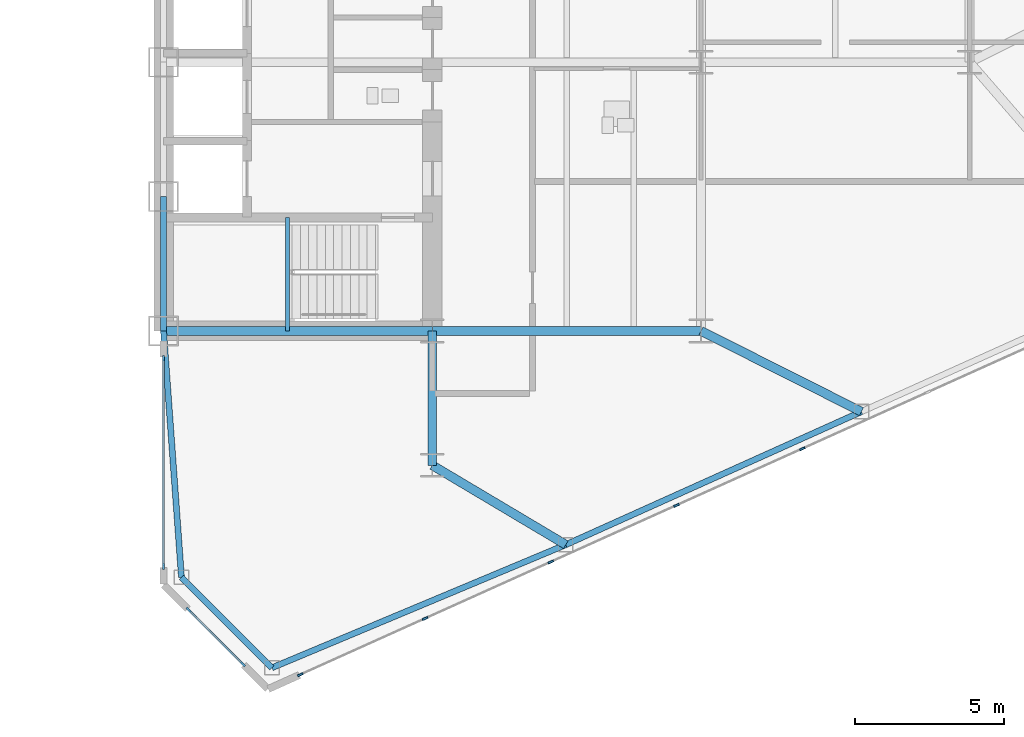
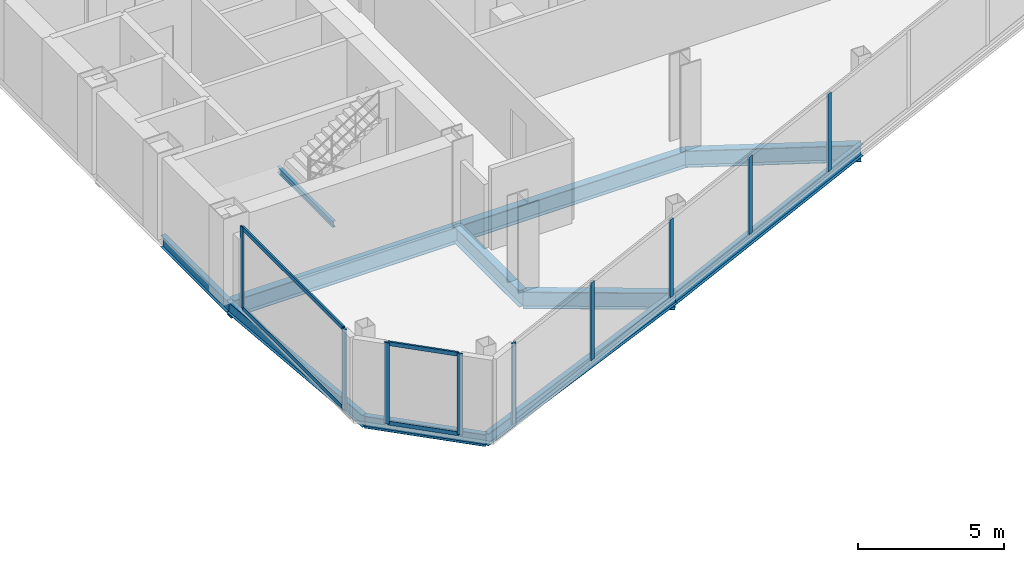
# One storey, part 10 of 27: 13 members, 11 beams, 3 elements without a shape of their own.
"""IFC4 building model written with IfcOpenShell, lengths in metres."""

from ifc_helpers import new_model, si_unit, direction, frame, origin, origin_2d, place, context, subcontext, project, spatial, rectangle, i_section, extrude, source, transform, mapped, material, layer, layer_set, material_profile, profile_set, type_object, type_shapes, element, aggregate, save


model = new_model("IFC4")

# Units and contexts
model_context = context("Model", 3, precision=1e-05, world=origin(), true_north=direction((0.0, 1.0)))
body_context = subcontext(model_context, "Body", "Model", "MODEL_VIEW")
ifc_project = project(units=[si_unit("LENGTHUNIT", "METRE"), si_unit("AREAUNIT", "SQUARE_METRE"), si_unit("VOLUMEUNIT", "CUBIC_METRE"), si_unit("PLANEANGLEUNIT", "RADIAN"), si_unit("MASSUNIT", "GRAM", prefix="KILO")], contexts=[model_context])

# Site, building, storey
site_placement = place(None, origin())
site = spatial("IfcSite", under=ifc_project, at=site_placement, CompositionType="ELEMENT")
building_placement = place(site_placement, origin())
building = spatial("IfcBuilding", under=site, at=building_placement, Name="Seokmaru Belvedere", CompositionType="ELEMENT")
storey_placement = place(building_placement, frame((0.0, 0.0, 76.5)))
storey = spatial("IfcBuildingStorey", under=building, at=storey_placement, Name="L20", CompositionType="ELEMENT", Elevation=76.5)

# Beams
ifc_material_1 = material(Name="Steel SM355 (355 MPa)", Category="steel")
ifc_material_profile_1 = material_profile(ifc_material_1, i_section(OverallWidth=0.199951171875, OverallDepth=0.5, WebThickness=0.010009765625, FlangeThickness=0.01611328125, at=origin_2d()), Name="H-500x200x10x16")
ifc_profile_set_1 = profile_set([ifc_material_profile_1], Name="Steel SM355 (355 MPa)")
beam_type_1 = type_object("IfcBeamType", Name="Perimeter Spandrel Beam H-500", PredefinedType="SPANDREL", material=ifc_profile_set_1)
shared_shape_1 = source(origin(), body_context, "Body", "SweptSolid", [
    extrude(i_section(OverallWidth=0.199951171875, OverallDepth=0.5, WebThickness=0.010009765625, FlangeThickness=0.01611328125, at=origin_2d()), origin(), (0.0, 0.0, 1.0), 4.5),
])
beam_1_placement = place(storey_placement, frame((27.5, -13.5, -0.469970703125), z_axis=(0.0, 1.0, 0.0), x_axis=(-1.0, 0.0, 0.0)))
element("IfcBeam", 1, at=beam_1_placement, inside=storey, type_object=beam_type_1, Name="L20 E Portal Spine Spandrel 1", PredefinedType="SPANDREL", context=body_context, shape_type="MappedRepresentation", body=[
    mapped(shared_shape_1, transform((0.0, 0.0, 0.0), scale=1.0)),
])
ifc_material_profile_2 = material_profile(ifc_material_1, i_section(OverallWidth=0.300048828125, OverallDepth=0.699951171875, WebThickness=0.012939453125, FlangeThickness=0.02392578125, at=origin_2d()), Name="H-700x300x13x24")
ifc_profile_set_2 = profile_set([ifc_material_profile_2], Name="Steel SM355 (355 MPa)")
beam_type_2 = type_object("IfcBeamType", Name="Primary Floor Girder H-700", PredefinedType="BEAM", material=ifc_profile_set_2)
shared_shape_2 = source(origin(), body_context, "Body", "SweptSolid", [
    extrude(i_section(OverallWidth=0.300048828125, OverallDepth=0.699951171875, WebThickness=0.012939453125, FlangeThickness=0.02392578125, at=origin_2d()), origin(), (0.0, 0.0, 1.0), 4.5),
])
beam_2_placement = place(storey_placement, frame((36.5, -18.0, -0.570068359375), z_axis=(0.0, 1.0, 0.0), x_axis=(-1.0, 0.0, 0.0)))
element("IfcBeam", 2, at=beam_2_placement, inside=storey, type_object=beam_type_2, Name="L20 E Core Shoulder Girder S", PredefinedType="BEAM", context=body_context, shape_type="MappedRepresentation", body=[
    mapped(shared_shape_2, transform((0.0, 0.0, 0.0), scale=1.0)),
])
shared_shape_3 = source(origin(), body_context, "Body", "SweptSolid", [
    extrude(i_section(OverallWidth=0.300048828125, OverallDepth=0.699951171875, WebThickness=0.012939453125, FlangeThickness=0.02392578125, at=origin_2d()), origin(), (0.0, 0.0, 1.0), 9.0),
])
for number, where, z_axis, x_axis, name in (
    (3, (27.5, -13.5, -0.570068359375), (1.0, 0.0, 0.0), (0.0, 1.0, 0.0), "L20 E Core Tie Girder 1"),
    (4, (36.5, -13.5, -0.570068359375), (1.0, 0.0, 0.0), (0.0, 1.0, 0.0), "L20 E Wing Primary Girder 1"),
):
    element("IfcBeam", number, at=place(storey_placement, frame(where, z_axis=z_axis, x_axis=x_axis)), inside=storey, type_object=beam_type_2, Name=name, PredefinedType="BEAM", context=body_context, shape_type="MappedRepresentation", body=[
        mapped(shared_shape_3, transform((0.0, 0.0, 0.0), scale=1.0)),
    ])
shared_shape_4 = source(origin(), body_context, "Body", "SweptSolid", [
    extrude(i_section(OverallWidth=0.199951171875, OverallDepth=0.5, WebThickness=0.010009765625, FlangeThickness=0.01611328125, at=origin_2d()), origin(), (0.0, 0.0, 1.0), 10.66943359375),
])
beam_3_placement = place(storey_placement, frame((31.13134765625, -24.782958984375, -0.469970703125), z_axis=(0.922375393128, 0.386294750355, 0.0), x_axis=(-0.386294750355, 0.922375393128, 0.0)))
element("IfcBeam", 5, at=beam_3_placement, inside=storey, type_object=beam_type_1, Name="L20 E Faceted Flank Spandrel S-1", PredefinedType="SPANDREL", context=body_context, shape_type="MappedRepresentation", body=[
    mapped(shared_shape_4, transform((0.0, 0.0, 0.0), scale=1.0)),
])
shared_shape_5 = source(origin(), body_context, "Body", "SweptSolid", [
    extrude(i_section(OverallWidth=0.199951171875, OverallDepth=0.5, WebThickness=0.010009765625, FlangeThickness=0.01611328125, at=origin_2d()), origin(), (0.0, 0.0, 1.0), 10.85888671875),
])
beam_4_placement = place(storey_placement, frame((40.97265625, -20.661376953125, -0.469970703125), z_axis=(0.911921505175, 0.410364677329, 0.0), x_axis=(-0.410364677329, 0.911921505175, 0.0)))
element("IfcBeam", 6, at=beam_4_placement, inside=storey, type_object=beam_type_1, Name="L20 E Faceted Flank Spandrel S-2", PredefinedType="SPANDREL", context=body_context, shape_type="MappedRepresentation", body=[
    mapped(shared_shape_5, transform((0.0, 0.0, 0.0), scale=1.0)),
])
shared_shape_6 = source(origin(), body_context, "Body", "SweptSolid", [
    extrude(i_section(OverallWidth=0.199951171875, OverallDepth=0.5, WebThickness=0.010009765625, FlangeThickness=0.01611328125, at=origin_2d()), origin(), (0.0, 0.0, 1.0), 4.287109375),
])
beam_5_placement = place(storey_placement, frame((31.13134765625, -24.782958984375, -0.469970703125), z_axis=(-0.707078306132, 0.707135255094, 0.0), x_axis=(-0.707135255094, -0.707078306132, 0.0)))
element("IfcBeam", 7, at=beam_5_placement, inside=storey, type_object=beam_type_1, Name="L20 E Shoulder Chamfer Spandrel S", PredefinedType="SPANDREL", context=body_context, shape_type="MappedRepresentation", body=[
    mapped(shared_shape_6, transform((0.0, 0.0, 0.0), scale=1.0)),
])
shared_shape_7 = source(origin(), body_context, "Body", "SweptSolid", [
    extrude(i_section(OverallWidth=0.199951171875, OverallDepth=0.5, WebThickness=0.010009765625, FlangeThickness=0.01611328125, at=origin_2d()), origin(), (0.0, 0.0, 1.0), 8.273193359375),
])
type_shapes(beam_type_1, [shared_shape_1, shared_shape_4, shared_shape_5, shared_shape_6, shared_shape_7])
beam_6_placement = place(storey_placement, frame((28.10009765625, -21.75146484375, -0.469970703125), z_axis=(-0.072534628348, 0.99736589459, 0.0), x_axis=(-0.99736589459, -0.072534628348, 0.0)))
element("IfcBeam", 8, at=beam_6_placement, inside=storey, type_object=beam_type_1, Name="L20 E Shoulder Spine Spandrel S", PredefinedType="SPANDREL", context=body_context, shape_type="MappedRepresentation", body=[
    mapped(shared_shape_7, transform((0.0, 0.0, 0.0), scale=1.0)),
])
shared_shape_8 = source(origin(), body_context, "Body", "SweptSolid", [
    extrude(i_section(OverallWidth=0.300048828125, OverallDepth=0.699951171875, WebThickness=0.012939453125, FlangeThickness=0.02392578125, at=origin_2d()), origin(), (0.0, 0.0, 1.0), 5.20458984375),
])
beam_7_placement = place(storey_placement, frame((40.97265625, -20.661376953125, -0.570068359375), z_axis=(-0.859370434188, 0.511353553662, 0.0), x_axis=(-0.511353553662, -0.859370434188, 0.0)))
element("IfcBeam", 9, at=beam_7_placement, inside=storey, type_object=beam_type_2, Name="L20 E Flank Radial Floor Girder S-1", PredefinedType="BEAM", context=body_context, shape_type="MappedRepresentation", body=[
    mapped(shared_shape_8, transform((0.0, 0.0, 0.0), scale=1.0)),
])
shared_shape_9 = source(origin(), body_context, "Body", "SweptSolid", [
    extrude(i_section(OverallWidth=0.300048828125, OverallDepth=0.699951171875, WebThickness=0.012939453125, FlangeThickness=0.02392578125, at=origin_2d()), origin(), (0.0, 0.0, 1.0), 6.017333984375),
])
type_shapes(beam_type_2, [shared_shape_2, shared_shape_3, shared_shape_8, shared_shape_9])
beam_8_placement = place(storey_placement, frame((50.875, -16.205322265625, -0.570068359375), z_axis=(-0.893239341975, 0.449581447512, 0.0), x_axis=(-0.449581447512, -0.893239341975, 0.0)))
element("IfcBeam", 10, at=beam_8_placement, inside=storey, type_object=beam_type_2, Name="L20 E Flank Radial Floor Girder S-2", PredefinedType="BEAM", context=body_context, shape_type="MappedRepresentation", body=[
    mapped(shared_shape_9, transform((0.0, 0.0, 0.0), scale=1.0)),
])

# Curtain wall, member
ifc_material_2 = material(Name="Bronze Triple Insulating Glass", Category="glass")
ifc_layer = layer(ifc_material_2, 0.195068359375)
ifc_layer_set = layer_set([ifc_layer], Name="Bronze Triple Insulating Glass")
curtain_wall_type = type_object("IfcCurtainWallType", Name="Lower-Mid Tapered Curtain Wall System CW-3", PredefinedType="NOTDEFINED", material=ifc_layer_set)
curtain_wall_1_placement = place(storey_placement, origin())
curtain_wall_1 = element("IfcCurtainWall", 11, at=curtain_wall_1_placement, inside=storey, type_object=curtain_wall_type, Name="L20 Curtain Wall EF1", PredefinedType="NOTDEFINED")
ifc_material_3 = material(Name="Anodised Bronze Aluminium", Category="aluminium")
ifc_material_profile_3 = material_profile(ifc_material_3, rectangle(XDim=0.070068359375, YDim=0.195068359375, at=origin_2d()), Name="CW-M-70x195")
ifc_profile_set_3 = profile_set([ifc_material_profile_3], Name="Anodised Bronze Aluminium")
member_type_1 = type_object("IfcMemberType", Name="Bronze Unitised Mullion 70x195", PredefinedType="MULLION", material=ifc_profile_set_3)
shared_shape_10 = source(origin(), body_context, "Body", "SweptSolid", [
    extrude(rectangle(XDim=0.070068359375, YDim=0.195068359375, at=origin_2d()), origin(), (0.0, 0.0, 1.0), 3.3798828125),
])
member_1_placement = place(storey_placement, frame((32.08056640625, -25.013671875, 0.0), z_axis=(0.0, 0.0, 1.0), x_axis=(-0.41036554765, 0.91192111353, 0.0)))
member_1 = element("IfcMember", 12, at=member_1_placement, type_object=member_type_1, Name="CW:L20:EF1 Mullion 1", PredefinedType="MULLION", context=body_context, shape_type="MappedRepresentation", body=[
    mapped(shared_shape_10, transform((0.0, 0.0, 0.0), scale=1.0)),
])

# Curtain wall, members
curtain_wall_2_placement = place(storey_placement, origin())
curtain_wall_2 = element("IfcCurtainWall", 13, at=curtain_wall_2_placement, inside=storey, type_object=curtain_wall_type, Name="L20 Curtain Wall ESP_1", PredefinedType="NOTDEFINED")
member_2_placement = place(storey_placement, frame((27.5, -14.4150390625, 0.0), z_axis=(0.0, 0.0, 1.0), x_axis=(1.0, 0.0, 0.0)))
member_2 = element("IfcMember", 14, at=member_2_placement, type_object=member_type_1, Name="CW:L20:ESP_1 Mullion 1", PredefinedType="MULLION", context=body_context, shape_type="MappedRepresentation", body=[
    mapped(shared_shape_10, transform((0.0, 0.0, 0.0), scale=1.0)),
])
member_3_placement = place(storey_placement, frame((27.5, -21.39501953125, 0.0), z_axis=(0.0, 0.0, 1.0), x_axis=(1.0, 0.0, 0.0)))
member_3 = element("IfcMember", 15, at=member_3_placement, type_object=member_type_1, Name="CW:L20:ESP_1 Mullion 2", PredefinedType="MULLION", context=body_context, shape_type="MappedRepresentation", body=[
    mapped(shared_shape_10, transform((0.0, 0.0, 0.0), scale=1.0)),
])

curtain_wall_3_placement = place(storey_placement, origin())
curtain_wall_3 = element("IfcCurtainWall", 16, at=curtain_wall_3_placement, inside=storey, type_object=curtain_wall_type, Name="L20 Curtain Wall EF6", PredefinedType="NOTDEFINED")
member_4_placement = place(storey_placement, frame((28.337890625, -22.837890625, 0.0), z_axis=(0.0, 0.0, 1.0), x_axis=(0.707106781187, 0.707106781187, 0.0)))
member_4 = element("IfcMember", 17, at=member_4_placement, type_object=member_type_1, Name="CW:L20:EF6 Mullion 1", PredefinedType="MULLION", context=body_context, shape_type="MappedRepresentation", body=[
    mapped(shared_shape_10, transform((0.0, 0.0, 0.0), scale=1.0)),
])
member_5_placement = place(storey_placement, frame((30.162109375, -24.662109375, 0.0), z_axis=(0.0, 0.0, 1.0), x_axis=(0.707106781187, 0.707106781187, 0.0)))
member_5 = element("IfcMember", 18, at=member_5_placement, type_object=member_type_1, Name="CW:L20:EF6 Mullion 2", PredefinedType="MULLION", context=body_context, shape_type="MappedRepresentation", body=[
    mapped(shared_shape_10, transform((0.0, 0.0, 0.0), scale=1.0)),
])

# Member
ifc_material_profile_4 = material_profile(ifc_material_3, rectangle(XDim=0.070068359375, YDim=0.1650390625, at=origin_2d()), Name="CW-T-70x165")
ifc_profile_set_4 = profile_set([ifc_material_profile_4], Name="Anodised Bronze Aluminium")
member_type_2 = type_object("IfcMemberType", Name="Bronze Unitised Transom 70x165", PredefinedType="USERDEFINED", material=ifc_profile_set_4)
shared_shape_11 = source(origin(), body_context, "Body", "SweptSolid", [
    extrude(rectangle(XDim=0.070068359375, YDim=0.1650390625, at=origin_2d()), origin(), (0.0, 0.0, 1.0), 6.91015625),
])
member_6_placement = place(storey_placement, frame((27.5, -14.449951171875, 0.034912109375), z_axis=(0.0, -1.0, 0.0), x_axis=(1.0, 0.0, 0.0)))
member_6 = element("IfcMember", 19, at=member_6_placement, type_object=member_type_2, Name="CW:L20:ESP_1 Continuous Transom 1", ObjectType="TRANSOM", PredefinedType="USERDEFINED", context=body_context, shape_type="MappedRepresentation", body=[
    mapped(shared_shape_11, transform((0.0, 0.0, 0.0), scale=1.0)),
])

member_7_placement = place(storey_placement, frame((27.5, -14.449951171875, 3.344970703125), z_axis=(0.0, -1.0, 0.0), x_axis=(1.0, 0.0, 0.0)))
member_7 = element("IfcMember", 20, at=member_7_placement, type_object=member_type_2, Name="CW:L20:ESP_1 Continuous Transom 2", ObjectType="TRANSOM", PredefinedType="USERDEFINED", context=body_context, shape_type="MappedRepresentation", body=[
    mapped(shared_shape_11, transform((0.0, 0.0, 0.0), scale=1.0)),
])

aggregate(curtain_wall_2, [member_2, member_3, member_6, member_7])

shared_shape_12 = source(origin(), body_context, "Body", "SweptSolid", [
    extrude(rectangle(XDim=0.070068359375, YDim=0.1650390625, at=origin_2d()), origin(), (0.0, 0.0, 1.0), 2.509521484375),
])
type_shapes(member_type_2, [shared_shape_11, shared_shape_12])
member_8_placement = place(storey_placement, frame((28.36279296875, -22.86279296875, 0.034912109375), z_axis=(0.707106781187, -0.707106781187, 0.0), x_axis=(0.707106781187, 0.707106781187, 0.0)))
member_8 = element("IfcMember", 21, at=member_8_placement, type_object=member_type_2, Name="CW:L20:EF6 Continuous Transom 1", ObjectType="TRANSOM", PredefinedType="USERDEFINED", context=body_context, shape_type="MappedRepresentation", body=[
    mapped(shared_shape_12, transform((0.0, 0.0, 0.0), scale=1.0)),
])

member_9_placement = place(storey_placement, frame((28.36279296875, -22.86279296875, 3.344970703125), z_axis=(0.707106781187, -0.707106781187, 0.0), x_axis=(0.707106781187, 0.707106781187, 0.0)))
member_9 = element("IfcMember", 22, at=member_9_placement, type_object=member_type_2, Name="CW:L20:EF6 Continuous Transom 2", ObjectType="TRANSOM", PredefinedType="USERDEFINED", context=body_context, shape_type="MappedRepresentation", body=[
    mapped(shared_shape_12, transform((0.0, 0.0, 0.0), scale=1.0)),
])

aggregate(curtain_wall_3, [member_4, member_5, member_8, member_9])

shared_shape_13 = source(origin(), body_context, "Body", "SweptSolid", [
    extrude(rectangle(XDim=0.070068359375, YDim=0.195068359375, at=origin_2d()), origin(), (0.0, 0.0, 1.0), 3.239990234375),
])
type_shapes(member_type_1, [shared_shape_10, shared_shape_13])
member_10_placement = place(storey_placement, frame((36.260009765625, -23.133056640625, 0.070068359375), z_axis=(0.0, 0.0, 1.0), x_axis=(-0.41036554765, 0.91192111353, 0.0)))
member_10 = element("IfcMember", 23, at=member_10_placement, type_object=member_type_1, Name="CW:L20:EF1 Mullion 2", PredefinedType="MULLION", context=body_context, shape_type="MappedRepresentation", body=[
    mapped(shared_shape_13, transform((0.0, 0.0, 0.0), scale=1.0)),
])

member_11_placement = place(storey_placement, frame((40.471435546875, -21.23779296875, 0.070068359375), z_axis=(0.0, 0.0, 1.0), x_axis=(-0.41036554765, 0.91192111353, 0.0)))
member_11 = element("IfcMember", 24, at=member_11_placement, type_object=member_type_1, Name="CW:L20:EF1 Mullion 3", PredefinedType="MULLION", context=body_context, shape_type="MappedRepresentation", body=[
    mapped(shared_shape_13, transform((0.0, 0.0, 0.0), scale=1.0)),
])

member_12_placement = place(storey_placement, frame((44.682861328125, -19.3427734375, 0.070068359375), z_axis=(0.0, 0.0, 1.0), x_axis=(-0.41036554765, 0.91192111353, 0.0)))
member_12 = element("IfcMember", 25, at=member_12_placement, type_object=member_type_1, Name="CW:L20:EF1 Mullion 4", PredefinedType="MULLION", context=body_context, shape_type="MappedRepresentation", body=[
    mapped(shared_shape_13, transform((0.0, 0.0, 0.0), scale=1.0)),
])

member_13_placement = place(storey_placement, frame((48.894287109375, -17.447509765625, 0.070068359375), z_axis=(0.0, 0.0, 1.0), x_axis=(-0.41036554765, 0.91192111353, 0.0)))
member_13 = element("IfcMember", 26, at=member_13_placement, type_object=member_type_1, Name="CW:L20:EF1 Mullion 5", PredefinedType="MULLION", context=body_context, shape_type="MappedRepresentation", body=[
    mapped(shared_shape_13, transform((0.0, 0.0, 0.0), scale=1.0)),
])

aggregate(curtain_wall_1, [member_1, member_10, member_11, member_12, member_13])

# Beam
ifc_material_profile_5 = material_profile(ifc_material_1, i_section(OverallWidth=0.125, OverallDepth=0.25, WebThickness=0.006103515625, FlangeThickness=0.009033203125, at=origin_2d()), Name="H-250x125x6x9")
ifc_profile_set_5 = profile_set([ifc_material_profile_5], Name="Steel SM355 (355 MPa)")
beam_type_3 = type_object("IfcBeamType", Name="Stair Mid-Landing Support Beam H-250", PredefinedType="JOIST", material=ifc_profile_set_5)
shared_shape_14 = source(origin(), body_context, "Body", "SweptSolid", [
    extrude(i_section(OverallWidth=0.125, OverallDepth=0.25, WebThickness=0.006103515625, FlangeThickness=0.009033203125, at=origin_2d()), origin(), (0.0, 0.0, 1.0), 3.800048828125),
])
type_shapes(beam_type_3, [shared_shape_14])
beam_9_placement = place(storey_placement, frame((31.64990234375, -13.5, 1.47509765625), z_axis=(0.0, 1.0, 0.0), x_axis=(-1.0, 0.0, 0.0)))
element("IfcBeam", 27, at=beam_9_placement, inside=storey, type_object=beam_type_3, Name="L20 Stair ST-E1 Mid-Landing Support Beam 1", PredefinedType="JOIST", context=body_context, shape_type="MappedRepresentation", body=[
    mapped(shared_shape_14, transform((0.0, 0.0, 0.0), scale=1.0)),
])

save(model, "model.ifc")
